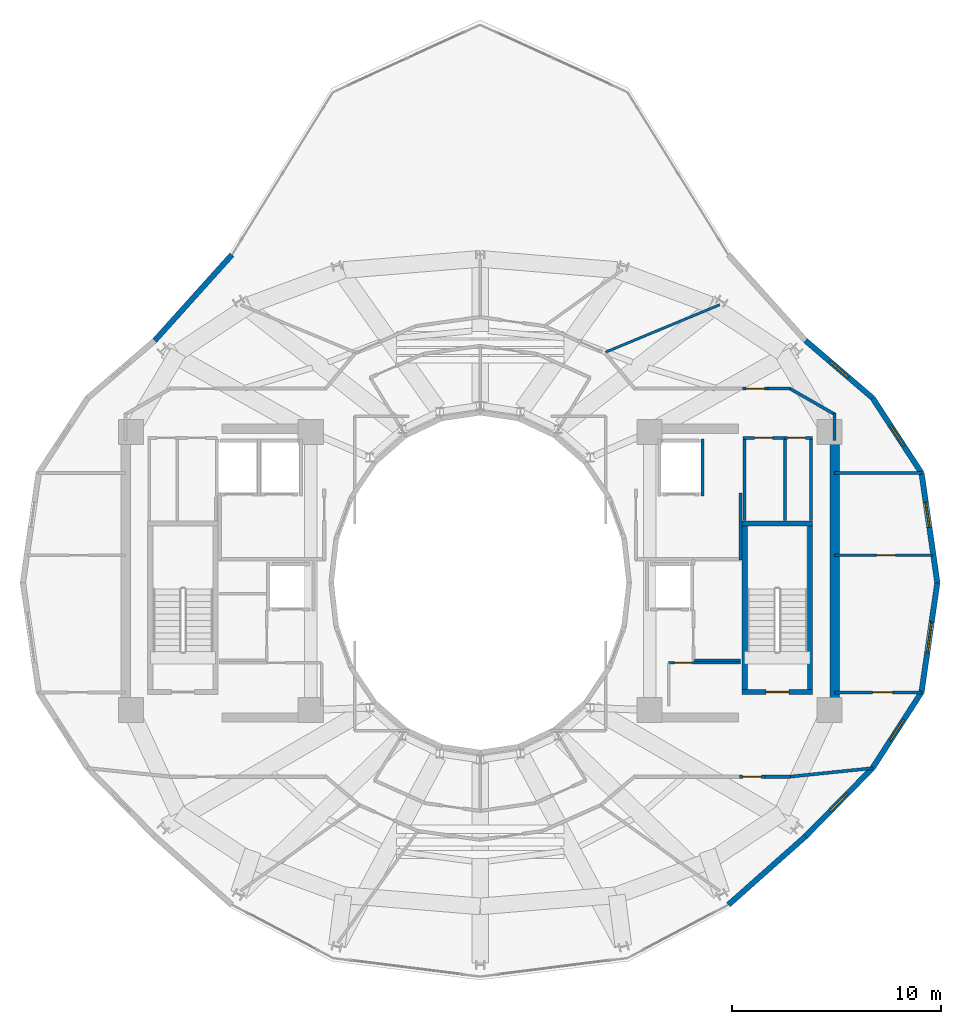
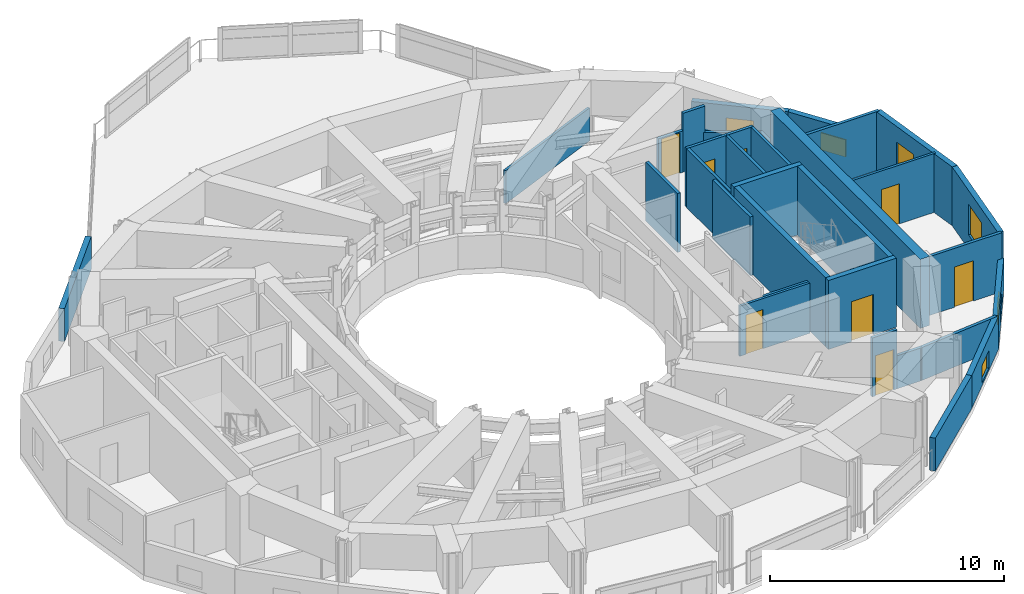
# One storey, part 17 of 21: 33 walls, 8 doors, 6 windows, 14 openings.
"""IFC4 building model written with IfcOpenShell, lengths in metres."""

from ifc_helpers import new_model, si_unit, direction, frame, frame_2d, origin, place, context, subcontext, project, spatial, rectangle, extrude, material, layer, layer_set, type_object, element, fill, save


model = new_model("IFC4")

# Units and contexts
model_context = context("Model", 3, precision=1e-05, world=origin(), true_north=direction((0.0, 1.0)))
body_context = subcontext(model_context, "Body", "Model", "MODEL_VIEW")
ifc_project = project(units=[si_unit("LENGTHUNIT", "METRE"), si_unit("AREAUNIT", "SQUARE_METRE"), si_unit("VOLUMEUNIT", "CUBIC_METRE"), si_unit("PLANEANGLEUNIT", "RADIAN"), si_unit("MASSUNIT", "GRAM", prefix="KILO")], contexts=[model_context])

# Site, building, storey
site_placement = place(None, origin())
site = spatial("IfcSite", under=ifc_project, at=site_placement, CompositionType="ELEMENT")
building_placement = place(site_placement, origin())
building = spatial("IfcBuilding", under=site, at=building_placement, Name="Solvane Sanctuary Tower", CompositionType="ELEMENT")
storey_placement = place(building_placement, frame((0.0, 0.0, 256.800048828125)))
storey = spatial("IfcBuildingStorey", under=building, at=storey_placement, Name="L78", CompositionType="ELEMENT", Elevation=256.800048828125)

# Walls
ifc_material_1 = material(Name="Concrete C50/60", Category="concrete")
ifc_layer_1 = layer(ifc_material_1, 0.449951171875, Name="Concrete C50/60")
ifc_layer_set_1 = layer_set([ifc_layer_1], Name="Concrete C50/60")
wall_type_1 = type_object("IfcWallType", Name="Wall W-CORE-450", PredefinedType="SHEAR", material=ifc_layer_set_1)
wall_1_placement = place(storey_placement, frame((48.949951171875, 17.050048828125, 0.0), z_axis=(0.0, 0.0, 1.0), x_axis=(0.0, 1.0, 0.0)))
element("IfcWall", 1, at=wall_1_placement, inside=storey, type_object=wall_type_1, Name="L78 Core Shear Wall EC-E", PredefinedType="SHEAR", context=body_context, shape_type="SweptSolid", body=[
    extrude(rectangle(XDim=12.800048828125, YDim=0.449951171875, at=frame_2d((6.39990234375, 0.0))), origin(), (0.0, 0.0, 1.0), 3.599853515625),
])
ifc_material_2 = material(Name="Acoustic Gypsum Partition Board")
ifc_layer_2 = layer(ifc_material_2, 0.14990234375, Name="Acoustic Gypsum Partition Board")
ifc_layer_set_2 = layer_set([ifc_layer_2], Name="Acoustic Gypsum Partition Board")
wall_type_2 = type_object("IfcWallType", Name="Wall W-CORR-150", PredefinedType="PARTITIONING", material=ifc_layer_set_2)
wall_2_placement = place(storey_placement, frame((44.449951171875, 24.080078125, 0.0), z_axis=(0.0, 0.0, 1.0), x_axis=(0.0, 1.0, 0.0)))
element("IfcWall", 2, at=wall_2_placement, inside=storey, type_object=wall_type_2, Name="L78 East Firefighting Lobby East Wall", PredefinedType="PARTITIONING", context=body_context, shape_type="SweptSolid", body=[
    extrude(rectangle(XDim=3.199951171875, YDim=0.14990234375, at=frame_2d((1.60009765625, 0.0))), origin(), (0.0, 0.0, 1.0), 3.074951171875),
])

# Wall, opening, door
wall_3_placement = place(storey_placement, frame((48.949951171875, 17.754638671875, 0.0), z_axis=(0.0, 0.0, 1.0), x_axis=(1.0, 0.0, 0.0)))
wall_3 = element("IfcWall", 3, at=wall_3_placement, inside=storey, type_object=wall_type_2, Name="L78 East Shoulder South Wall", PredefinedType="PARTITIONING", context=body_context, shape_type="SweptSolid", body=[
    extrude(rectangle(XDim=4.174560546875, YDim=0.14990234375, at=frame_2d((2.08740234375, 0.0))), origin(), (0.0, 0.0, 1.0), 3.074951171875),
])
opening_1_placement = place(wall_3_placement, frame((1.817138671875, 0.0, 0.0)))
opening_1 = element("IfcOpeningElement", 4, at=opening_1_placement, cuts=wall_3, Name="Opening D-L78-17", PredefinedType="OPENING", context=body_context, shape_type="SweptSolid", body=[
    extrude(rectangle(XDim=0.949951171875, YDim=2.10009765625, at=frame_2d((0.47509765625, 1.050048828125))), frame((0.0, 0.0849609375, 0.0), z_axis=(0.0, -1.0, 0.0), x_axis=(1.0, 0.0, 0.0)), (0.0, 0.0, 1.0), 0.169921875),
])
ifc_material_3 = material(Name="Engineered Tropical Hardwood", Category="wood")
door_type_1 = type_object("IfcDoorType", Name="Door D-ROOM-950", OperationType="NOTDEFINED", PredefinedType="DOOR", material=ifc_material_3)
door_1_placement = place(opening_1_placement, origin())
door_1 = element("IfcDoor", 5, at=door_1_placement, inside=storey, type_object=door_type_1, Name="L78 East Shoulder South Door", OperationType="SINGLE_SWING_RIGHT", OverallHeight=2.10009765625, OverallWidth=0.949951171875, PredefinedType="DOOR", context=body_context, shape_type="SweptSolid", body=[
    extrude(rectangle(XDim=0.949951171875, YDim=2.10009765625, at=frame_2d((0.47509765625, 1.050048828125))), frame((0.0, 0.02490234375, 0.0), z_axis=(0.0, -1.0, 0.0), x_axis=(1.0, 0.0, 0.0)), (0.0, 0.0, 1.0), 0.050048828125),
])
fill(opening_1, door_1)

# Walls
wall_4_placement = place(storey_placement, frame((48.949951171875, 28.245361328125, 0.0), z_axis=(0.0, 0.0, 1.0), x_axis=(1.0, 0.0, 0.0)))
element("IfcWall", 6, at=wall_4_placement, inside=storey, type_object=wall_type_2, Name="L78 East Shoulder North Wall", PredefinedType="PARTITIONING", context=body_context, shape_type="SweptSolid", body=[
    extrude(rectangle(XDim=4.174560546875, YDim=0.14990234375, at=frame_2d((2.08740234375, 0.0))), origin(), (0.0, 0.0, 1.0), 3.074951171875),
])
wall_5_placement = place(storey_placement, frame((48.949951171875, 29.800048828125, 0.0), z_axis=(0.0, 0.0, 1.0), x_axis=(0.0, 1.0, 0.0)))
element("IfcWall", 7, at=wall_5_placement, inside=storey, type_object=wall_type_2, Name="L78 NE Corner Closer 1", PredefinedType="PARTITIONING", context=body_context, shape_type="SweptSolid", body=[
    extrude(rectangle(XDim=1.2900390625, YDim=0.14990234375, at=frame_2d((0.64501953125, 0.0))), origin(), (0.0, 0.0, 1.0), 1.719970703125),
])

# Wall, opening, door
wall_6_placement = place(storey_placement, frame((44.547607421875, 32.280029296875, 0.0), z_axis=(0.0, 0.0, 1.0), x_axis=(1.0, 0.0, 0.0)))
wall_6 = element("IfcWall", 8, at=wall_6_placement, inside=storey, type_object=wall_type_2, Name="L78 NE Corner Corridor Wall", PredefinedType="PARTITIONING", context=body_context, shape_type="SweptSolid", body=[
    extrude(rectangle(XDim=1.219970703125, YDim=0.14990234375, at=frame_2d((0.60986328125, 0.0))), origin(), (0.0, 0.0, 1.0), 2.159912109375),
])
opening_2_placement = place(wall_6_placement, frame((0.159912109375, 0.0, 0.0)))
opening_2 = element("IfcOpeningElement", 9, at=opening_2_placement, cuts=wall_6, Name="Opening D-L78-21", PredefinedType="OPENING", context=body_context, shape_type="SweptSolid", body=[
    extrude(rectangle(XDim=0.89990234375, YDim=2.10009765625, at=frame_2d((0.449951171875, 1.050048828125))), frame((0.0, 0.0849609375, 0.0), z_axis=(0.0, -1.0, 0.0), x_axis=(1.0, 0.0, 0.0)), (0.0, 0.0, 1.0), 0.169921875),
])
door_type_2 = type_object("IfcDoorType", Name="Door D-WET-900", OperationType="NOTDEFINED", PredefinedType="DOOR", material=ifc_material_3)
door_2_placement = place(opening_2_placement, origin())
door_2 = element("IfcDoor", 10, at=door_2_placement, inside=storey, type_object=door_type_2, Name="L78 NE Corner Salon Door", OperationType="SINGLE_SWING_RIGHT", OverallHeight=2.10009765625, OverallWidth=0.89990234375, PredefinedType="DOOR", context=body_context, shape_type="SweptSolid", body=[
    extrude(rectangle(XDim=0.89990234375, YDim=2.10009765625, at=frame_2d((0.449951171875, 1.050048828125))), frame((0.0, 0.02490234375, 0.0), z_axis=(0.0, -1.0, 0.0), x_axis=(1.0, 0.0, 0.0)), (0.0, 0.0, 1.0), 0.050048828125),
])
fill(opening_2, door_2)

# Walls
wall_7_placement = place(storey_placement, frame((45.767578125, 32.280029296875, 0.0), z_axis=(0.0, 0.0, 1.0), x_axis=(1.0, 0.0, 0.0)))
element("IfcWall", 11, at=wall_7_placement, inside=storey, type_object=wall_type_2, Name="L78 NE Corner Corridor Wall", PredefinedType="PARTITIONING", context=body_context, shape_type="SweptSolid", body=[
    extrude(rectangle(XDim=1.08251953125, YDim=0.14990234375, at=frame_2d((0.541259765625, 0.0))), origin(), (0.0, 0.0, 1.0), 3.074951171875),
])
wall_8_placement = place(storey_placement, frame((46.756591796875, 32.3046875, 0.0), z_axis=(0.0, 0.0, 1.0), x_axis=(0.867991349648, -0.496579315857, 0.0)))
element("IfcWall", 12, at=wall_8_placement, inside=storey, type_object=wall_type_2, Name="L78 NE Corner Wing Wall", PredefinedType="PARTITIONING", context=body_context, shape_type="SweptSolid", body=[
    extrude(rectangle(XDim=2.56689453125, YDim=0.14990234375, at=frame_2d((1.283447265625, 0.0))), origin(), (0.0, 0.0, 1.0), 1.719970703125),
])

# Wall, opening, door
wall_9_placement = place(storey_placement, frame((44.389892578125, 13.719970703125, 0.0), z_axis=(0.0, 0.0, 1.0), x_axis=(1.0, 0.0, 0.0)))
wall_9 = element("IfcWall", 13, at=wall_9_placement, inside=storey, type_object=wall_type_2, Name="L78 SE Corner Corridor Wall", PredefinedType="PARTITIONING", context=body_context, shape_type="SweptSolid", body=[
    extrude(rectangle(XDim=1.22021484375, YDim=0.14990234375, at=frame_2d((0.610107421875, 0.0))), origin(), (0.0, 0.0, 1.0), 3.074951171875),
])
opening_3_placement = place(wall_9_placement, frame((0.159912109375, 0.0, 0.0)))
opening_3 = element("IfcOpeningElement", 14, at=opening_3_placement, cuts=wall_9, Name="Opening D-L78-24", PredefinedType="OPENING", context=body_context, shape_type="SweptSolid", body=[
    extrude(rectangle(XDim=0.89990234375, YDim=2.10009765625, at=frame_2d((0.449951171875, 1.050048828125))), frame((0.0, 0.0849609375, 0.0), z_axis=(0.0, -1.0, 0.0), x_axis=(1.0, 0.0, 0.0)), (0.0, 0.0, 1.0), 0.169921875),
])
door_3_placement = place(opening_3_placement, origin())
door_3 = element("IfcDoor", 15, at=door_3_placement, inside=storey, type_object=door_type_2, Name="L78 SE Corner Salon Door", OperationType="SINGLE_SWING_LEFT", OverallHeight=2.10009765625, OverallWidth=0.89990234375, PredefinedType="DOOR", context=body_context, shape_type="SweptSolid", body=[
    extrude(rectangle(XDim=0.89990234375, YDim=2.10009765625, at=frame_2d((0.449951171875, 1.050048828125))), frame((0.0, 0.02490234375, 0.0), z_axis=(0.0, -1.0, 0.0), x_axis=(1.0, 0.0, 0.0)), (0.0, 0.0, 1.0), 0.050048828125),
])
fill(opening_3, door_3)

# Walls
wall_10_placement = place(storey_placement, frame((45.610107421875, 13.719970703125, 0.0), z_axis=(0.0, 0.0, 1.0), x_axis=(1.0, 0.0, 0.0)))
element("IfcWall", 16, at=wall_10_placement, inside=storey, type_object=wall_type_2, Name="L78 SE Corner Corridor Wall", PredefinedType="PARTITIONING", context=body_context, shape_type="SweptSolid", body=[
    extrude(rectangle(XDim=1.239990234375, YDim=0.14990234375, at=frame_2d((0.6201171875, 0.0))), origin(), (0.0, 0.0, 1.0), 1.719970703125),
])
wall_11_placement = place(storey_placement, frame((46.750244140625, 13.71484375, 0.0), z_axis=(0.0, 0.0, 1.0), x_axis=(0.994734711466, 0.102483431859, 0.0)))
element("IfcWall", 17, at=wall_11_placement, inside=storey, type_object=wall_type_2, Name="L78 SE Corner Wing Wall", PredefinedType="PARTITIONING", context=body_context, shape_type="SweptSolid", body=[
    extrude(rectangle(XDim=4.04736328125, YDim=0.14990234375, at=frame_2d((2.023681640625, 0.0))), origin(), (0.0, 0.0, 1.0), 1.719970703125),
])

# Wall, opening, window
ifc_material_4 = material(Name="Precast concrete C40/50", Category="concrete")
ifc_layer_3 = layer(ifc_material_4, 0.260009765625, Name="Precast concrete C40/50")
ifc_layer_set_3 = layer_set([ifc_layer_3], Name="Precast concrete C40/50")
wall_type_3 = type_object("IfcWallType", Name="Wall W-EXT-250", PredefinedType="STANDARD", material=ifc_layer_set_3)
wall_12_placement = place(storey_placement, frame((53.860107421875, 23.0, 0.0), z_axis=(0.0, 0.0, 1.0), x_axis=(-0.142712754019, 0.989764148593, 0.0)))
wall_12 = element("IfcWall", 18, at=wall_12_placement, inside=storey, type_object=wall_type_3, Name="L78 Ceramic-Printed Facade Wall 00", PredefinedType="STANDARD", context=body_context, shape_type="SweptSolid", body=[
    extrude(rectangle(XDim=5.29296875, YDim=0.260009765625, at=frame_2d((2.646484375, 0.0))), origin(), (0.0, 0.0, 1.0), 3.070068359375),
])
opening_4_placement = place(wall_12_placement, frame((2.67822265625, 0.0, 0.75)))
opening_4 = element("IfcOpeningElement", 19, at=opening_4_placement, cuts=wall_12, Name="Opening WN-OPER-1200", PredefinedType="OPENING", context=body_context, shape_type="SweptSolid", body=[
    extrude(rectangle(XDim=1.199951171875, YDim=1.5, at=frame_2d((0.60009765625, 0.75))), frame((0.0, 0.139892578125, 0.0), z_axis=(0.0, -1.0, 0.0), x_axis=(1.0, 0.0, 0.0)), (0.0, 0.0, 1.0), 0.280029296875),
])
ifc_material_5 = material(Name="Dark Ceramic-Fritted Low-E Glass", Category="glass")
window_type_1 = type_object("IfcWindowType", Name="Window WN-OPER-1200", PartitioningType="SINGLE_PANEL", PredefinedType="WINDOW", material=ifc_material_5)
window_1_placement = place(opening_4_placement, origin())
window_1 = element("IfcWindow", 20, at=window_1_placement, inside=storey, type_object=window_type_1, Name="L78 Operable Facade Window 00", OverallHeight=1.5, OverallWidth=1.199951171875, PartitioningType="SINGLE_PANEL", PredefinedType="WINDOW", context=body_context, shape_type="SweptSolid", body=[
    extrude(rectangle(XDim=1.199951171875, YDim=1.5, at=frame_2d((0.60009765625, 0.75))), frame((0.0, 0.030029296875, 0.0), z_axis=(0.0, -1.0, 0.0), x_axis=(1.0, 0.0, 0.0)), (0.0, 0.0, 1.0), 0.06005859375),
])
fill(opening_4, window_1)

wall_13_placement = place(storey_placement, frame((53.104736328125, 28.23876953125, 0.0), z_axis=(0.0, 0.0, 1.0), x_axis=(-0.546606419826, 0.837389647539, 0.0)))
wall_13 = element("IfcWall", 21, at=wall_13_placement, inside=storey, type_object=wall_type_3, Name="L78 Ceramic-Printed Facade Wall 01", PredefinedType="STANDARD", context=body_context, shape_type="SweptSolid", body=[
    extrude(rectangle(XDim=4.287841796875, YDim=0.260009765625, at=frame_2d((2.14404296875, 0.0))), origin(), (0.0, 0.0, 1.0), 1.719970703125),
])
opening_5_placement = place(wall_13_placement, frame((1.5439453125, 0.0, 0.14990234375)))
opening_5 = element("IfcOpeningElement", 22, at=opening_5_placement, cuts=wall_13, Name="Opening WN-OPER-1200", PredefinedType="OPENING", context=body_context, shape_type="SweptSolid", body=[
    extrude(rectangle(XDim=1.199951171875, YDim=0.89990234375, at=frame_2d((0.60009765625, 0.449951171875))), frame((0.0, 0.139892578125, 0.0), z_axis=(0.0, -1.0, 0.0), x_axis=(1.0, 0.0, 0.0)), (0.0, 0.0, 1.0), 0.280029296875),
])
window_2_placement = place(opening_5_placement, origin())
window_2 = element("IfcWindow", 23, at=window_2_placement, inside=storey, type_object=window_type_1, Name="L78 Operable Facade Window 01", OverallHeight=0.89990234375, OverallWidth=1.199951171875, PartitioningType="SINGLE_PANEL", PredefinedType="WINDOW", context=body_context, shape_type="SweptSolid", body=[
    extrude(rectangle(XDim=1.199951171875, YDim=0.89990234375, at=frame_2d((0.60009765625, 0.449951171875))), frame((0.0, 0.030029296875, 0.0), z_axis=(0.0, -1.0, 0.0), x_axis=(1.0, 0.0, 0.0)), (0.0, 0.0, 1.0), 0.06005859375),
])
fill(opening_5, window_2)

wall_14_placement = place(storey_placement, frame((50.760986328125, 31.829345703125, 0.0), z_axis=(0.0, 0.0, 1.0), x_axis=(-0.759587504333, 0.650405122413, 0.0)))
wall_14 = element("IfcWall", 24, at=wall_14_placement, inside=storey, type_object=wall_type_3, Name="L78 Ceramic-Printed Facade Wall 02", PredefinedType="STANDARD", context=body_context, shape_type="SweptSolid", body=[
    extrude(rectangle(XDim=4.21728515625, YDim=0.260009765625, at=frame_2d((2.108642578125, 0.0))), origin(), (0.0, 0.0, 1.0), 1.719970703125),
])
opening_6_placement = place(wall_14_placement, frame((1.508544921875, 0.0, 0.14990234375)))
opening_6 = element("IfcOpeningElement", 25, at=opening_6_placement, cuts=wall_14, Name="Opening WN-OPER-1200", PredefinedType="OPENING", context=body_context, shape_type="SweptSolid", body=[
    extrude(rectangle(XDim=1.199951171875, YDim=0.89990234375, at=frame_2d((0.60009765625, 0.449951171875))), frame((0.0, 0.139892578125, 0.0), z_axis=(0.0, -1.0, 0.0), x_axis=(1.0, 0.0, 0.0)), (0.0, 0.0, 1.0), 0.280029296875),
])
window_3_placement = place(opening_6_placement, origin())
window_3 = element("IfcWindow", 26, at=window_3_placement, inside=storey, type_object=window_type_1, Name="L78 Operable Facade Window 02", OverallHeight=0.89990234375, OverallWidth=1.199951171875, PartitioningType="SINGLE_PANEL", PredefinedType="WINDOW", context=body_context, shape_type="SweptSolid", body=[
    extrude(rectangle(XDim=1.199951171875, YDim=0.89990234375, at=frame_2d((0.60009765625, 0.449951171875))), frame((0.0, 0.030029296875, 0.0), z_axis=(0.0, -1.0, 0.0), x_axis=(1.0, 0.0, 0.0)), (0.0, 0.0, 1.0), 0.06005859375),
])
fill(opening_6, window_3)

# Walls
wall_15_placement = place(storey_placement, frame((20.1298828125, 38.670166015625, 0.0), z_axis=(0.0, 0.0, 1.0), x_axis=(-0.668903560134, -0.743349196031, 0.0)))
element("IfcWall", 27, at=wall_15_placement, inside=storey, type_object=wall_type_3, Name="L78 Ceramic-Printed Facade Wall 08", PredefinedType="STANDARD", context=body_context, shape_type="SweptSolid", body=[
    extrude(rectangle(XDim=5.5126953125, YDim=0.260009765625, at=frame_2d((2.75634765625, 0.0))), origin(), (0.0, 0.0, 1.0), 1.719970703125),
])
wall_16_placement = place(storey_placement, frame((43.8701171875, 7.600830078125, 0.0), z_axis=(0.0, 0.0, 1.0), x_axis=(0.748165854006, 0.663511759428, 0.0)))
element("IfcWall", 28, at=wall_16_placement, inside=storey, type_object=wall_type_3, Name="L78 Ceramic-Printed Facade Wall 20", PredefinedType="STANDARD", context=body_context, shape_type="SweptSolid", body=[
    extrude(rectangle(XDim=4.9287109375, YDim=0.260009765625, at=frame_2d((2.46435546875, 0.0))), origin(), (0.0, 0.0, 1.0), 1.719970703125),
])

# Wall, opening, window
wall_17_placement = place(storey_placement, frame((47.5576171875, 10.87109375, 0.0), z_axis=(0.0, 0.0, 1.0), x_axis=(0.700642973333, 0.713512034881, 0.0)))
wall_17 = element("IfcWall", 29, at=wall_17_placement, inside=storey, type_object=wall_type_3, Name="L78 Ceramic-Printed Facade Wall 21", PredefinedType="STANDARD", context=body_context, shape_type="SweptSolid", body=[
    extrude(rectangle(XDim=4.572021484375, YDim=0.260009765625, at=frame_2d((2.2861328125, 0.0))), origin(), (0.0, 0.0, 1.0), 1.719970703125),
])
opening_7_placement = place(wall_17_placement, frame((1.68603515625, 0.0, 0.14990234375)))
opening_7 = element("IfcOpeningElement", 30, at=opening_7_placement, cuts=wall_17, Name="Opening WN-OPER-1200", PredefinedType="OPENING", context=body_context, shape_type="SweptSolid", body=[
    extrude(rectangle(XDim=1.199951171875, YDim=0.89990234375, at=frame_2d((0.60009765625, 0.449951171875))), frame((0.0, 0.139892578125, 0.0), z_axis=(0.0, -1.0, 0.0), x_axis=(1.0, 0.0, 0.0)), (0.0, 0.0, 1.0), 0.280029296875),
])
window_4_placement = place(opening_7_placement, origin())
window_4 = element("IfcWindow", 31, at=window_4_placement, inside=storey, type_object=window_type_1, Name="L78 Operable Facade Window 21", OverallHeight=0.89990234375, OverallWidth=1.199951171875, PartitioningType="SINGLE_PANEL", PredefinedType="WINDOW", context=body_context, shape_type="SweptSolid", body=[
    extrude(rectangle(XDim=1.199951171875, YDim=0.89990234375, at=frame_2d((0.60009765625, 0.449951171875))), frame((0.0, 0.030029296875, 0.0), z_axis=(0.0, -1.0, 0.0), x_axis=(1.0, 0.0, 0.0)), (0.0, 0.0, 1.0), 0.06005859375),
])
fill(opening_7, window_4)

wall_18_placement = place(storey_placement, frame((50.760986328125, 14.13330078125, 0.0), z_axis=(0.0, 0.0, 1.0), x_axis=(0.542641766008, 0.839964233634, 0.0)))
wall_18 = element("IfcWall", 32, at=wall_18_placement, inside=storey, type_object=wall_type_3, Name="L78 Ceramic-Printed Facade Wall 22", PredefinedType="STANDARD", context=body_context, shape_type="SweptSolid", body=[
    extrude(rectangle(XDim=4.319091796875, YDim=0.260009765625, at=frame_2d((2.15966796875, 0.0))), origin(), (0.0, 0.0, 1.0), 1.719970703125),
])
opening_8_placement = place(wall_18_placement, frame((1.5595703125, 0.0, 0.14990234375)))
opening_8 = element("IfcOpeningElement", 33, at=opening_8_placement, cuts=wall_18, Name="Opening WN-OPER-1200", PredefinedType="OPENING", context=body_context, shape_type="SweptSolid", body=[
    extrude(rectangle(XDim=1.199951171875, YDim=0.89990234375, at=frame_2d((0.60009765625, 0.449951171875))), frame((0.0, 0.139892578125, 0.0), z_axis=(0.0, -1.0, 0.0), x_axis=(1.0, 0.0, 0.0)), (0.0, 0.0, 1.0), 0.280029296875),
])
window_5_placement = place(opening_8_placement, origin())
window_5 = element("IfcWindow", 34, at=window_5_placement, inside=storey, type_object=window_type_1, Name="L78 Operable Facade Window 22", OverallHeight=0.89990234375, OverallWidth=1.199951171875, PartitioningType="SINGLE_PANEL", PredefinedType="WINDOW", context=body_context, shape_type="SweptSolid", body=[
    extrude(rectangle(XDim=1.199951171875, YDim=0.89990234375, at=frame_2d((0.60009765625, 0.449951171875))), frame((0.0, 0.030029296875, 0.0), z_axis=(0.0, -1.0, 0.0), x_axis=(1.0, 0.0, 0.0)), (0.0, 0.0, 1.0), 0.06005859375),
])
fill(opening_8, window_5)

wall_19_placement = place(storey_placement, frame((53.104736328125, 17.76123046875, 0.0), z_axis=(0.0, 0.0, 1.0), x_axis=(0.142712754019, 0.989764148593, 0.0)))
wall_19 = element("IfcWall", 35, at=wall_19_placement, inside=storey, type_object=wall_type_3, Name="L78 Ceramic-Printed Facade Wall 23", PredefinedType="STANDARD", context=body_context, shape_type="SweptSolid", body=[
    extrude(rectangle(XDim=5.29296875, YDim=0.260009765625, at=frame_2d((2.646484375, 0.0))), origin(), (0.0, 0.0, 1.0), 3.070068359375),
])
opening_9_placement = place(wall_19_placement, frame((1.896484375, 0.0, 0.75)))
opening_9 = element("IfcOpeningElement", 36, at=opening_9_placement, cuts=wall_19, Name="Opening WN-OPER-1500", PredefinedType="OPENING", context=body_context, shape_type="SweptSolid", body=[
    extrude(rectangle(XDim=1.5, YDim=1.60009765625, at=frame_2d((0.75, 0.800048828125))), frame((0.0, 0.139892578125, 0.0), z_axis=(0.0, -1.0, 0.0), x_axis=(1.0, 0.0, 0.0)), (0.0, 0.0, 1.0), 0.280029296875),
])
window_type_2 = type_object("IfcWindowType", Name="Window WN-OPER-1500", PartitioningType="SINGLE_PANEL", PredefinedType="WINDOW", material=ifc_material_5)
window_6_placement = place(opening_9_placement, origin())
window_6 = element("IfcWindow", 37, at=window_6_placement, inside=storey, type_object=window_type_2, Name="L78 Operable Facade Window 23", OverallHeight=1.60009765625, OverallWidth=1.5, PartitioningType="SINGLE_PANEL", PredefinedType="WINDOW", context=body_context, shape_type="SweptSolid", body=[
    extrude(rectangle(XDim=1.5, YDim=1.60009765625, at=frame_2d((0.75, 0.800048828125))), frame((0.0, 0.030029296875, 0.0), z_axis=(0.0, -1.0, 0.0), x_axis=(1.0, 0.0, 0.0)), (0.0, 0.0, 1.0), 0.06005859375),
])
fill(opening_9, window_6)

# Wall, opening, door
ifc_layer_4 = layer(ifc_material_2, 0.1201171875, Name="Acoustic Gypsum Partition Board")
ifc_layer_set_4 = layer_set([ifc_layer_4], Name="Acoustic Gypsum Partition Board")
wall_type_4 = type_object("IfcWallType", Name="Wall W-MOV-100", PredefinedType="MOVABLE", material=ifc_layer_set_4)
wall_20_placement = place(storey_placement, frame((48.949951171875, 24.300048828125, 0.0), z_axis=(0.0, 0.0, 1.0), x_axis=(1.0, 0.0, 0.0)))
wall_20 = element("IfcWall", 38, at=wall_20_placement, inside=storey, type_object=wall_type_4, Name="L78 East Suite Partition", PredefinedType="MOVABLE", context=body_context, shape_type="SweptSolid", body=[
    extrude(rectangle(XDim=4.682861328125, YDim=0.1201171875, at=frame_2d((2.34130859375, 0.0))), origin(), (0.0, 0.0, 1.0), 3.074951171875),
])
opening_10_placement = place(wall_20_placement, frame((2.0, 0.0, 0.0)))
opening_10 = element("IfcOpeningElement", 39, at=opening_10_placement, cuts=wall_20, Name="Opening D-L78-18", PredefinedType="OPENING", context=body_context, shape_type="SweptSolid", body=[
    extrude(rectangle(XDim=0.89990234375, YDim=2.10009765625, at=frame_2d((0.449951171875, 1.050048828125))), frame((0.0, 0.070068359375, 0.0), z_axis=(0.0, -1.0, 0.0), x_axis=(1.0, 0.0, 0.0)), (0.0, 0.0, 1.0), 0.14013671875),
])
door_4_placement = place(opening_10_placement, origin())
door_4 = element("IfcDoor", 40, at=door_4_placement, inside=storey, type_object=door_type_2, Name="L78 East Suite Internal Door", OperationType="SINGLE_SWING_LEFT", OverallHeight=2.10009765625, OverallWidth=0.89990234375, PredefinedType="DOOR", context=body_context, shape_type="SweptSolid", body=[
    extrude(rectangle(XDim=0.89990234375, YDim=2.10009765625, at=frame_2d((0.449951171875, 1.050048828125))), frame((0.0, 0.02490234375, 0.0), z_axis=(0.0, -1.0, 0.0), x_axis=(1.0, 0.0, 0.0)), (0.0, 0.0, 1.0), 0.050048828125),
])
fill(opening_10, door_4)

# Wall
wall_21_placement = place(storey_placement, frame((37.999755859375, 34.017822265625, 0.0), z_axis=(0.0, 0.0, 1.0), x_axis=(0.92349333748, 0.383614462228, 0.0)))
element("IfcWall", 41, at=wall_21_placement, inside=storey, type_object=wall_type_4, Name="L78 Sky Hall Radial Partition 060", PredefinedType="MOVABLE", context=body_context, shape_type="SweptSolid", body=[
    extrude(rectangle(XDim=5.9072265625, YDim=0.1201171875, at=frame_2d((2.95361328125, 0.0))), origin(), (0.0, 0.0, 1.0), 1.719970703125),
])

# Wall, opening, door
ifc_layer_5 = layer(ifc_material_2, 0.125, Name="Acoustic Gypsum Partition Board")
ifc_layer_set_5 = layer_set([ifc_layer_5], Name="Acoustic Gypsum Partition Board")
wall_type_5 = type_object("IfcWallType", Name="Wall W-PART-125", PredefinedType="PARTITIONING", material=ifc_layer_set_5)
wall_22_placement = place(storey_placement, frame((41.0, 19.159912109375, 0.0), z_axis=(0.0, 0.0, 1.0), x_axis=(1.0, 0.0, 0.0)))
wall_22 = element("IfcWall", 42, at=wall_22_placement, inside=storey, type_object=wall_type_5, Name="L78 Reclaimed Room Partition PLE", PredefinedType="PARTITIONING", context=body_context, shape_type="SweptSolid", body=[
    extrude(rectangle(XDim=3.449951171875, YDim=0.125, at=frame_2d((1.72509765625, 0.0))), origin(), (0.0, 0.0, 1.0), 2.619873046875),
])
opening_11_placement = place(wall_22_placement, frame((0.292724609375, 0.0, 0.0)))
opening_11 = element("IfcOpeningElement", 43, at=opening_11_placement, cuts=wall_22, Name="Opening D-L78-06", PredefinedType="OPENING", context=body_context, shape_type="SweptSolid", body=[
    extrude(rectangle(XDim=0.85009765625, YDim=2.050048828125, at=frame_2d((0.425048828125, 1.02490234375))), frame((0.0, 0.072509765625, 0.0), z_axis=(0.0, -1.0, 0.0), x_axis=(1.0, 0.0, 0.0)), (0.0, 0.0, 1.0), 0.14501953125),
])
ifc_material_6 = material(Name="Architectural Stainless Steel 316", Category="steel")
door_type_3 = type_object("IfcDoorType", Name="Door D-RISER", OperationType="NOTDEFINED", PredefinedType="DOOR", material=ifc_material_6)
door_5_placement = place(opening_11_placement, origin())
door_5 = element("IfcDoor", 44, at=door_5_placement, inside=storey, type_object=door_type_3, Name="L78 Reclaimed Room Door PLE-1", OperationType="SINGLE_SWING_LEFT", OverallHeight=2.050048828125, OverallWidth=0.85009765625, PredefinedType="DOOR", context=body_context, shape_type="SweptSolid", body=[
    extrude(rectangle(XDim=0.85009765625, YDim=2.050048828125, at=frame_2d((0.425048828125, 1.02490234375))), frame((0.0, 0.02490234375, 0.0), z_axis=(0.0, -1.0, 0.0), x_axis=(1.0, 0.0, 0.0)), (0.0, 0.0, 1.0), 0.050048828125),
])
fill(opening_11, door_5)

# Walls
wall_23_placement = place(storey_placement, frame((42.239990234375, 19.280029296875, 0.0), z_axis=(0.0, 0.0, 1.0), x_axis=(1.0, 0.0, 0.0)))
element("IfcWall", 45, at=wall_23_placement, inside=storey, type_object=wall_type_5, Name="L78 Reclaimed Room Closer Wall PME-1", PredefinedType="PARTITIONING", context=body_context, shape_type="SweptSolid", body=[
    extrude(rectangle(XDim=2.2099609375, YDim=0.125, at=frame_2d((1.10498046875, 0.0))), origin(), (0.0, 0.0, 1.0), 2.619873046875),
])
ifc_layer_6 = layer(ifc_material_1, 0.14990234375, Name="Concrete C50/60")
ifc_layer_set_6 = layer_set([ifc_layer_6], Name="Concrete C50/60")
wall_type_6 = type_object("IfcWallType", Name="Wall W-SHAFT-150", PredefinedType="SOLIDWALL", material=ifc_layer_set_6)
wall_24_placement = place(storey_placement, frame((42.6298828125, 27.139892578125, 0.0), z_axis=(0.0, 0.0, 1.0), x_axis=(0.0, 1.0, 0.0)))
element("IfcWall", 46, at=wall_24_placement, inside=storey, type_object=wall_type_6, Name="L78 FFL-2 Lift Shaft Wall S2", PredefinedType="SOLIDWALL", context=body_context, shape_type="SweptSolid", body=[
    extrude(rectangle(XDim=2.72021484375, YDim=0.14990234375, at=frame_2d((1.360107421875, 0.0))), origin(), (0.0, 0.0, 1.0), 3.074951171875),
])

# Wall, opening, door
ifc_layer_7 = layer(ifc_material_1, 0.25, Name="Concrete C50/60")
ifc_layer_set_7 = layer_set([ifc_layer_7], Name="Concrete C50/60")
wall_type_7 = type_object("IfcWallType", Name="Wall W-SHAFT-250", PredefinedType="SOLIDWALL", material=ifc_layer_set_7)
wall_25_placement = place(storey_placement, frame((44.52490234375, 17.77001953125, 0.0), z_axis=(0.0, 0.0, 1.0), x_axis=(1.0, 0.0, 0.0)))
wall_25 = element("IfcWall", 47, at=wall_25_placement, inside=storey, type_object=wall_type_7, Name="L78 ST-2 Load-Bearing Shaft Wall S", PredefinedType="SOLIDWALL", context=body_context, shape_type="SweptSolid", body=[
    extrude(rectangle(XDim=3.3701171875, YDim=0.25, at=frame_2d((1.68505859375, 0.0))), origin(), (0.0, 0.0, 1.0), 3.599853515625),
])
opening_12_placement = place(wall_25_placement, frame((1.135009765625, 0.0, 0.0)))
opening_12 = element("IfcOpeningElement", 48, at=opening_12_placement, cuts=wall_25, Name="Opening D-L78-02", PredefinedType="OPENING", context=body_context, shape_type="SweptSolid", body=[
    extrude(rectangle(XDim=1.10009765625, YDim=2.10009765625, at=frame_2d((0.550048828125, 1.050048828125))), frame((0.0, 0.135009765625, 0.0), z_axis=(0.0, -1.0, 0.0), x_axis=(1.0, 0.0, 0.0)), (0.0, 0.0, 1.0), 0.27001953125),
])
door_type_4 = type_object("IfcDoorType", Name="Door D-STAIR", OperationType="NOTDEFINED", PredefinedType="DOOR", material=ifc_material_6)
door_6_placement = place(opening_12_placement, origin())
door_6 = element("IfcDoor", 49, at=door_6_placement, inside=storey, type_object=door_type_4, Name="L78 ST-2 Exit Stair Fire Door", OperationType="SINGLE_SWING_RIGHT", OverallHeight=2.10009765625, OverallWidth=1.10009765625, PredefinedType="DOOR", context=body_context, shape_type="SweptSolid", body=[
    extrude(rectangle(XDim=1.10009765625, YDim=2.10009765625, at=frame_2d((0.550048828125, 1.050048828125))), frame((0.0, 0.02490234375, 0.0), z_axis=(0.0, -1.0, 0.0), x_axis=(1.0, 0.0, 0.0)), (0.0, 0.0, 1.0), 0.050048828125),
])
fill(opening_12, door_6)

# Walls
wall_26_placement = place(storey_placement, frame((44.52490234375, 25.830078125, 0.0), z_axis=(0.0, 0.0, 1.0), x_axis=(1.0, 0.0, 0.0)))
element("IfcWall", 50, at=wall_26_placement, inside=storey, type_object=wall_type_7, Name="L78 ST-2 Load-Bearing Shaft Wall N", PredefinedType="SOLIDWALL", context=body_context, shape_type="SweptSolid", body=[
    extrude(rectangle(XDim=3.3701171875, YDim=0.25, at=frame_2d((1.68505859375, 0.0))), origin(), (0.0, 0.0, 1.0), 3.599853515625),
])
for number, where, z_axis, x_axis, name in (
    (51, (44.64990234375, 17.89501953125, 0.0), (0.0, 0.0, 1.0), (0.0, 1.0, 0.0), "L78 ST-2 Load-Bearing Shaft Wall W"),
    (52, (47.77001953125, 17.89501953125, 0.0), (0.0, 0.0, 1.0), (0.0, 1.0, 0.0), "L78 ST-2 Load-Bearing Shaft Wall E"),
):
    element("IfcWall", number, at=place(storey_placement, frame(where, z_axis=z_axis, x_axis=x_axis)), inside=storey, type_object=wall_type_7, Name=name, PredefinedType="SOLIDWALL", context=body_context, shape_type="SweptSolid", body=[
        extrude(rectangle(XDim=7.81005859375, YDim=0.25, at=frame_2d((3.905029296875, 0.0))), origin(), (0.0, 0.0, 1.0), 3.599853515625),
    ])

# Wall, opening, door
ifc_layer_8 = layer(ifc_material_2, 0.139892578125, Name="Acoustic Gypsum Partition Board")
ifc_layer_set_8 = layer_set([ifc_layer_8], Name="Acoustic Gypsum Partition Board")
wall_type_8 = type_object("IfcWallType", Name="Wall W-WET-140", PredefinedType="PLUMBINGWALL", material=ifc_layer_set_8)
wall_27_placement = place(storey_placement, frame((44.580078125, 29.919921875, 0.0), z_axis=(0.0, 0.0, 1.0), x_axis=(1.0, 0.0, 0.0)))
wall_27 = element("IfcWall", 53, at=wall_27_placement, inside=storey, type_object=wall_type_8, Name="L78 Core Service Front Wall KE1", PredefinedType="PLUMBINGWALL", context=body_context, shape_type="SweptSolid", body=[
    extrude(rectangle(XDim=2.0, YDim=0.139892578125, at=frame_2d((1.0, 0.0))), origin(), (0.0, 0.0, 1.0), 3.074951171875),
])
opening_13_placement = place(wall_27_placement, frame((0.550048828125, 0.0, 0.0)))
opening_13 = element("IfcOpeningElement", 54, at=opening_13_placement, cuts=wall_27, Name="Opening D-L78-11", PredefinedType="OPENING", context=body_context, shape_type="SweptSolid", body=[
    extrude(rectangle(XDim=0.85009765625, YDim=2.050048828125, at=frame_2d((0.425048828125, 1.02490234375))), frame((0.0, 0.079833984375, 0.0), z_axis=(0.0, -1.0, 0.0), x_axis=(1.0, 0.0, 0.0)), (0.0, 0.0, 1.0), 0.159912109375),
])
door_7_placement = place(opening_13_placement, origin())
door_7 = element("IfcDoor", 55, at=door_7_placement, inside=storey, type_object=door_type_3, Name="L78 Core Service Room Door KE1-1", OperationType="SINGLE_SWING_RIGHT", OverallHeight=2.050048828125, OverallWidth=0.85009765625, PredefinedType="DOOR", context=body_context, shape_type="SweptSolid", body=[
    extrude(rectangle(XDim=0.85009765625, YDim=2.050048828125, at=frame_2d((0.425048828125, 1.02490234375))), frame((0.0, 0.02490234375, 0.0), z_axis=(0.0, -1.0, 0.0), x_axis=(1.0, 0.0, 0.0)), (0.0, 0.0, 1.0), 0.050048828125),
])
fill(opening_13, door_7)

# Walls
for number, where, z_axis, x_axis, name in (
    (56, (44.639892578125, 25.97998046875, 0.0), (0.0, 0.0, 1.0), (0.0, 1.0, 0.0), "L78 Core Service Side Wall KE1-1"),
    (57, (46.580078125, 25.97998046875, 0.0), (0.0, 0.0, 1.0), (0.0, 1.0, 0.0), "L78 Core Service Side Wall KE1-2"),
):
    element("IfcWall", number, at=place(storey_placement, frame(where, z_axis=z_axis, x_axis=x_axis)), inside=storey, type_object=wall_type_8, Name=name, PredefinedType="PLUMBINGWALL", context=body_context, shape_type="SweptSolid", body=[
        extrude(rectangle(XDim=3.880126953125, YDim=0.139892578125, at=frame_2d((1.93994140625, 0.0))), origin(), (0.0, 0.0, 1.0), 3.074951171875),
    ])

# Wall, opening, door
wall_28_placement = place(storey_placement, frame((46.580078125, 29.919921875, 0.0), z_axis=(0.0, 0.0, 1.0), x_axis=(1.0, 0.0, 0.0)))
wall_28 = element("IfcWall", 58, at=wall_28_placement, inside=storey, type_object=wall_type_8, Name="L78 Core Service Front Wall KE2", PredefinedType="PLUMBINGWALL", context=body_context, shape_type="SweptSolid", body=[
    extrude(rectangle(XDim=1.2998046875, YDim=0.139892578125, at=frame_2d((0.64990234375, 0.0))), origin(), (0.0, 0.0, 1.0), 3.074951171875),
])
opening_14_placement = place(wall_28_placement, frame((0.1201171875, 0.0, 0.0)))
opening_14 = element("IfcOpeningElement", 59, at=opening_14_placement, cuts=wall_28, Name="Opening D-L78-12", PredefinedType="OPENING", context=body_context, shape_type="SweptSolid", body=[
    extrude(rectangle(XDim=0.85009765625, YDim=2.050048828125, at=frame_2d((0.425048828125, 1.02490234375))), frame((0.0, 0.079833984375, 0.0), z_axis=(0.0, -1.0, 0.0), x_axis=(1.0, 0.0, 0.0)), (0.0, 0.0, 1.0), 0.159912109375),
])
door_8_placement = place(opening_14_placement, origin())
door_8 = element("IfcDoor", 60, at=door_8_placement, inside=storey, type_object=door_type_3, Name="L78 Core Service Room Door KE2-1", OperationType="SINGLE_SWING_LEFT", OverallHeight=2.050048828125, OverallWidth=0.85009765625, PredefinedType="DOOR", context=body_context, shape_type="SweptSolid", body=[
    extrude(rectangle(XDim=0.85009765625, YDim=2.050048828125, at=frame_2d((0.425048828125, 1.02490234375))), frame((0.0, 0.02490234375, 0.0), z_axis=(0.0, -1.0, 0.0), x_axis=(1.0, 0.0, 0.0)), (0.0, 0.0, 1.0), 0.050048828125),
])
fill(opening_14, door_8)

# Wall
wall_29_placement = place(storey_placement, frame((47.820068359375, 25.97998046875, 0.0), z_axis=(0.0, 0.0, 1.0), x_axis=(0.0, 1.0, 0.0)))
element("IfcWall", 61, at=wall_29_placement, inside=storey, type_object=wall_type_8, Name="L78 Core Service Side Wall KE2-1", PredefinedType="PLUMBINGWALL", context=body_context, shape_type="SweptSolid", body=[
    extrude(rectangle(XDim=3.880126953125, YDim=0.139892578125, at=frame_2d((1.93994140625, 0.0))), origin(), (0.0, 0.0, 1.0), 3.074951171875),
])

save(model, "model.ifc")
